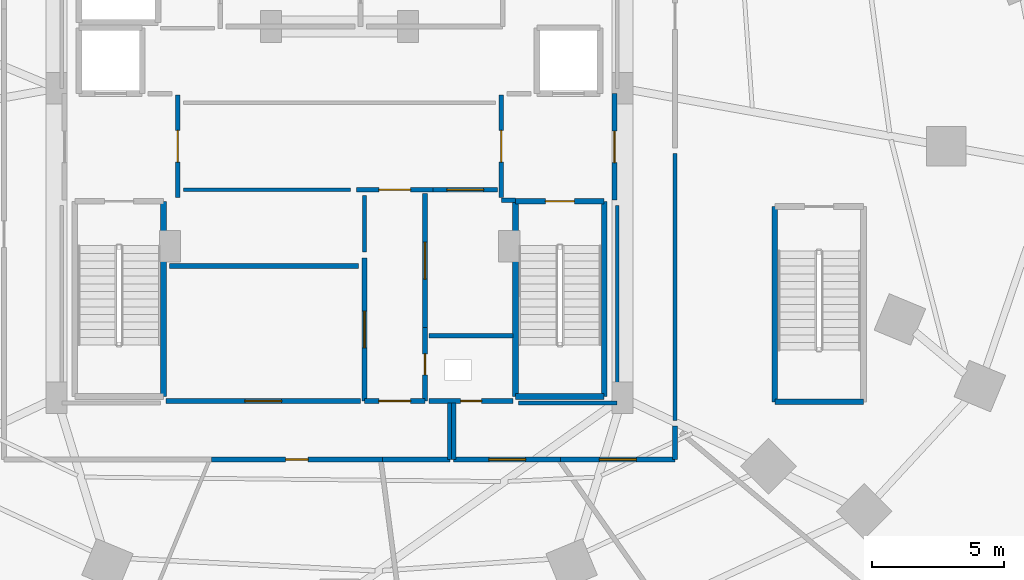
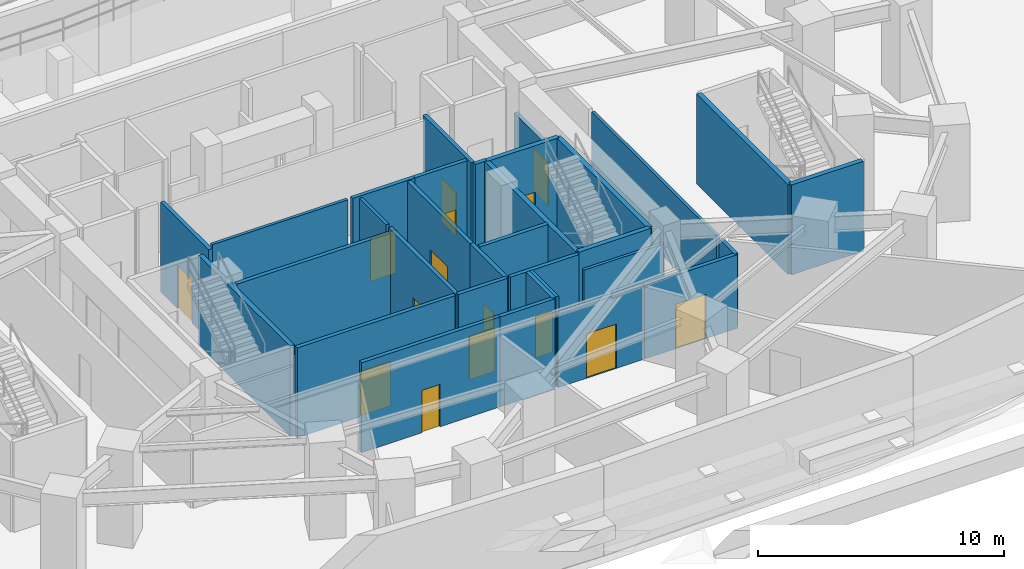
# One storey, part 4 of 8: 33 walls, 15 doors, 15 openings.
"""IFC4 building model written with IfcOpenShell, lengths in metres."""

from ifc_helpers import new_model, si_unit, direction, frame, frame_2d, origin, place, context, subcontext, project, spatial, rectangle, extrude, material, layer, layer_set, type_object, element, fill, save


model = new_model("IFC4")

# Units and contexts
model_context = context("Model", 3, precision=1e-05, world=origin(), true_north=direction((0.0, 1.0)))
body_context = subcontext(model_context, "Body", "Model", "MODEL_VIEW")
ifc_project = project(units=[si_unit("LENGTHUNIT", "METRE"), si_unit("AREAUNIT", "SQUARE_METRE"), si_unit("VOLUMEUNIT", "CUBIC_METRE"), si_unit("PLANEANGLEUNIT", "RADIAN"), si_unit("MASSUNIT", "GRAM", prefix="KILO")], contexts=[model_context])

# Site, building, storey
site_placement = place(None, origin())
site = spatial("IfcSite", under=ifc_project, at=site_placement, CompositionType="ELEMENT")
building_placement = place(site_placement, origin())
building = spatial("IfcBuilding", under=site, at=building_placement, Name="Vorneva Point Tower", CompositionType="ELEMENT")
storey_placement = place(building_placement, frame((0.0, 0.0, -4.800048828125)))
storey = spatial("IfcBuildingStorey", under=building, at=storey_placement, Name="B01", CompositionType="ELEMENT", Elevation=-4.800048828125)

# Walls
ifc_material_1 = material(Name="Fire-rated acoustic gypsum stud partition", Category="gypsum")
ifc_layer_1 = layer(ifc_material_1, 0.139892578125)
ifc_layer_set_1 = layer_set([ifc_layer_1], Name="Fire-rated acoustic gypsum stud partition")
wall_type_1 = type_object("IfcWallType", Name="WL-PART-140", PredefinedType="PARTITIONING", material=ifc_layer_set_1)
wall_1_placement = place(storey_placement, frame((32.070068359375, 24.35009765625, 0.0), z_axis=(0.0, 0.0, 1.0), x_axis=(1.0, 0.0, 0.0)))
element("IfcWall", 1, at=wall_1_placement, inside=storey, type_object=wall_type_1, Name="B01 Interior Closure Partition 043", PredefinedType="PARTITIONING", context=body_context, shape_type="SweptSolid", body=[
    extrude(rectangle(XDim=6.35498046875, YDim=0.139892578125, at=frame_2d((3.177490234375, 0.0))), origin(), (0.0, 0.0, 1.0), 4.4599609375),
])
wall_2_placement = place(storey_placement, frame((38.949951171875, 24.1298828125, 0.0), z_axis=(0.0, 0.0, 1.0), x_axis=(0.0, -1.0, 0.0)))
element("IfcWall", 2, at=wall_2_placement, inside=storey, type_object=wall_type_1, Name="B01 Interior Closure Partition 044", PredefinedType="PARTITIONING", context=body_context, shape_type="SweptSolid", body=[
    extrude(rectangle(XDim=2.15478515625, YDim=0.139892578125, at=frame_2d((1.077392578125, 0.0))), origin(), (0.0, 0.0, 1.0), 4.4599609375),
])
wall_3_placement = place(storey_placement, frame((48.550048828125, 23.75390625, 0.0), z_axis=(0.0, 0.0, 1.0), x_axis=(0.0, -1.0, 0.0)))
element("IfcWall", 3, at=wall_3_placement, inside=storey, type_object=wall_type_1, Name="B01 Interior Closure Partition 051", PredefinedType="PARTITIONING", context=body_context, shape_type="SweptSolid", body=[
    extrude(rectangle(XDim=7.513916015625, YDim=0.139892578125, at=frame_2d((3.7568359375, 0.0))), origin(), (0.0, 0.0, 1.0), 3.0400390625),
])
wall_4_placement = place(storey_placement, frame((48.550048828125, 16.239990234375, 0.0), z_axis=(0.0, 0.0, 1.0), x_axis=(-1.0, 0.0, 0.0)))
element("IfcWall", 4, at=wall_4_placement, inside=storey, type_object=wall_type_1, Name="B01 Interior Closure Partition 052", PredefinedType="PARTITIONING", context=body_context, shape_type="SweptSolid", body=[
    extrude(rectangle(XDim=3.7451171875, YDim=0.139892578125, at=frame_2d((1.87255859375, 0.0))), origin(), (0.0, 0.0, 1.0), 3.652099609375),
])
wall_5_placement = place(storey_placement, frame((50.75, 15.5810546875, 0.0), z_axis=(0.0, 0.0, 1.0), x_axis=(0.0, 1.0, 0.0)))
element("IfcWall", 5, at=wall_5_placement, inside=storey, type_object=wall_type_1, Name="B01 Interior Closure Partition 053", PredefinedType="PARTITIONING", context=body_context, shape_type="SweptSolid", body=[
    extrude(rectangle(XDim=10.138916015625, YDim=0.139892578125, at=frame_2d((5.0693359375, 0.0))), origin(), (0.0, 0.0, 1.0), 3.652099609375),
])

# Wall, opening, door
ifc_material_2 = material(Name="Autoclaved aerated concrete blockwork", Category="masonry")
ifc_layer_2 = layer(ifc_material_2, 0.179931640625)
ifc_layer_set_2 = layer_set([ifc_layer_2], Name="Autoclaved aerated concrete blockwork")
wall_type_2 = type_object("IfcWallType", Name="WL-PART-180", PredefinedType="PARTITIONING", material=ifc_layer_set_2)
wall_6_placement = place(storey_placement, frame((31.85009765625, 24.044921875, 0.0), z_axis=(0.0, 0.0, 1.0), x_axis=(0.0, 1.0, 0.0)))
wall_6 = element("IfcWall", 6, at=wall_6_placement, inside=storey, type_object=wall_type_2, Name="B01 Interior Partition 001", PredefinedType="PARTITIONING", context=body_context, shape_type="SweptSolid", body=[
    extrude(rectangle(XDim=3.91015625, YDim=0.179931640625, at=frame_2d((1.955078125, 0.0))), origin(), (0.0, 0.0, 1.0), 4.4599609375),
])
opening_1_placement = place(wall_6_placement, frame((1.35498046875, 0.0, 0.0)))
opening_1 = element("IfcOpeningElement", 7, at=opening_1_placement, cuts=wall_6, Name="Opening FD-02", PredefinedType="OPENING", context=body_context, shape_type="SweptSolid", body=[
    extrude(rectangle(XDim=1.199951171875, YDim=2.14990234375, at=frame_2d((0.60009765625, 1.074951171875))), frame((0.0, 0.10498046875, 0.0), z_axis=(0.0, -1.0, 0.0), x_axis=(1.0, 0.0, 0.0)), (0.0, 0.0, 1.0), 0.209716796875),
])
ifc_material_3 = material(Name="Fire-rated powder-coated steel", Category="steel")
door_type_1 = type_object("IfcDoorType", Name="DR-FFL-1200", OperationType="NOTDEFINED", PredefinedType="DOOR", material=ifc_material_3)
door_1_placement = place(opening_1_placement, origin())
door_1 = element("IfcDoor", 8, at=door_1_placement, inside=storey, type_object=door_type_1, Name="B01 Door West Firefighting Lobby / Central Lift Lobby", OperationType="SINGLE_SWING_LEFT", OverallHeight=2.14990234375, OverallWidth=1.199951171875, PredefinedType="DOOR", context=body_context, shape_type="SweptSolid", body=[
    extrude(rectangle(XDim=1.199951171875, YDim=2.14990234375, at=frame_2d((0.60009765625, 1.074951171875))), frame((0.0, 0.02490234375, 0.0), z_axis=(0.0, -1.0, 0.0), x_axis=(1.0, 0.0, 0.0)), (0.0, 0.0, 1.0), 0.050048828125),
])
fill(opening_1, door_1)

wall_7_placement = place(storey_placement, frame((44.14990234375, 27.955078125, 0.0), z_axis=(0.0, 0.0, 1.0), x_axis=(0.0, -1.0, 0.0)))
wall_7 = element("IfcWall", 9, at=wall_7_placement, inside=storey, type_object=wall_type_2, Name="B01 Interior Partition 003", PredefinedType="PARTITIONING", context=body_context, shape_type="SweptSolid", body=[
    extrude(rectangle(XDim=3.91015625, YDim=0.179931640625, at=frame_2d((1.955078125, 0.0))), origin(), (0.0, 0.0, 1.0), 4.4599609375),
])
opening_2_placement = place(wall_7_placement, frame((1.35498046875, 0.0, 0.0)))
opening_2 = element("IfcOpeningElement", 10, at=opening_2_placement, cuts=wall_7, Name="Opening FD-02", PredefinedType="OPENING", context=body_context, shape_type="SweptSolid", body=[
    extrude(rectangle(XDim=1.199951171875, YDim=2.14990234375, at=frame_2d((0.60009765625, 1.074951171875))), frame((0.0, 0.10498046875, 0.0), z_axis=(0.0, -1.0, 0.0), x_axis=(1.0, 0.0, 0.0)), (0.0, 0.0, 1.0), 0.209716796875),
])
door_2_placement = place(opening_2_placement, origin())
door_2 = element("IfcDoor", 11, at=door_2_placement, inside=storey, type_object=door_type_1, Name="B01 Door East Firefighting Lobby / Central Lift Lobby", OperationType="SINGLE_SWING_LEFT", OverallHeight=2.14990234375, OverallWidth=1.199951171875, PredefinedType="DOOR", context=body_context, shape_type="SweptSolid", body=[
    extrude(rectangle(XDim=1.199951171875, YDim=2.14990234375, at=frame_2d((0.60009765625, 1.074951171875))), frame((0.0, 0.02490234375, 0.0), z_axis=(0.0, -1.0, 0.0), x_axis=(1.0, 0.0, 0.0)), (0.0, 0.0, 1.0), 0.050048828125),
])
fill(opening_2, door_2)

# Wall
wall_8_placement = place(storey_placement, frame((44.14990234375, 23.949951171875, 0.0), z_axis=(0.0, 0.0, 1.0), x_axis=(1.0, 0.0, 0.0)))
element("IfcWall", 12, at=wall_8_placement, inside=storey, type_object=wall_type_2, Name="B01 Interior Partition 004", PredefinedType="PARTITIONING", context=body_context, shape_type="SweptSolid", body=[
    extrude(rectangle(XDim=0.5400390625, YDim=0.179931640625, at=frame_2d((0.27001953125, 0.0))), origin(), (0.0, 0.0, 1.0), 4.4599609375),
])

# Wall, opening, door
wall_9_placement = place(storey_placement, frame((48.449951171875, 23.949951171875, 0.0), z_axis=(0.0, 0.0, 1.0), x_axis=(0.0, 1.0, 0.0)))
wall_9 = element("IfcWall", 13, at=wall_9_placement, inside=storey, type_object=wall_type_2, Name="B01 Interior Partition 005", PredefinedType="PARTITIONING", context=body_context, shape_type="SweptSolid", body=[
    extrude(rectangle(XDim=4.050048828125, YDim=0.179931640625, at=frame_2d((2.02490234375, 0.0))), origin(), (0.0, 0.0, 1.0), 3.0400390625),
])
opening_3_placement = place(wall_9_placement, frame((1.425048828125, 0.0, 0.0)))
opening_3 = element("IfcOpeningElement", 14, at=opening_3_placement, cuts=wall_9, Name="Opening FD-02", PredefinedType="OPENING", context=body_context, shape_type="SweptSolid", body=[
    extrude(rectangle(XDim=1.199951171875, YDim=2.14990234375, at=frame_2d((0.60009765625, 1.074951171875))), frame((0.0, 0.10498046875, 0.0), z_axis=(0.0, -1.0, 0.0), x_axis=(1.0, 0.0, 0.0)), (0.0, 0.0, 1.0), 0.209716796875),
])
door_3_placement = place(opening_3_placement, origin())
door_3 = element("IfcDoor", 15, at=door_3_placement, inside=storey, type_object=door_type_1, Name="B01 Door East Firefighting Lobby / B01 Circulation Corridor", OperationType="SINGLE_SWING_LEFT", OverallHeight=2.14990234375, OverallWidth=1.199951171875, PredefinedType="DOOR", context=body_context, shape_type="SweptSolid", body=[
    extrude(rectangle(XDim=1.199951171875, YDim=2.14990234375, at=frame_2d((0.60009765625, 1.074951171875))), frame((0.0, 0.02490234375, 0.0), z_axis=(0.0, -1.0, 0.0), x_axis=(1.0, 0.0, 0.0)), (0.0, 0.0, 1.0), 0.050048828125),
])
fill(opening_3, door_3)

wall_10_placement = place(storey_placement, frame((38.64501953125, 24.35009765625, 0.0), z_axis=(0.0, 0.0, 1.0), x_axis=(1.0, 0.0, 0.0)))
wall_10 = element("IfcWall", 16, at=wall_10_placement, inside=storey, type_object=wall_type_2, Name="B01 Interior Partition 009", PredefinedType="PARTITIONING", context=body_context, shape_type="SweptSolid", body=[
    extrude(rectangle(XDim=2.909912109375, YDim=0.179931640625, at=frame_2d((1.455078125, 0.0))), origin(), (0.0, 0.0, 1.0), 4.4599609375),
])
opening_4_placement = place(wall_10_placement, frame((0.85498046875, 0.0, 0.0)))
opening_4 = element("IfcOpeningElement", 17, at=opening_4_placement, cuts=wall_10, Name="Opening FD-02", PredefinedType="OPENING", context=body_context, shape_type="SweptSolid", body=[
    extrude(rectangle(XDim=1.199951171875, YDim=2.14990234375, at=frame_2d((0.60009765625, 1.074951171875))), frame((0.0, 0.10498046875, 0.0), z_axis=(0.0, -1.0, 0.0), x_axis=(1.0, 0.0, 0.0)), (0.0, 0.0, 1.0), 0.209716796875),
])
door_4_placement = place(opening_4_placement, origin())
door_4 = element("IfcDoor", 18, at=door_4_placement, inside=storey, type_object=door_type_1, Name="B01 Door Central Lift Lobby / Core Service Lobby", OperationType="SINGLE_SWING_RIGHT", OverallHeight=2.14990234375, OverallWidth=1.199951171875, PredefinedType="DOOR", context=body_context, shape_type="SweptSolid", body=[
    extrude(rectangle(XDim=1.199951171875, YDim=2.14990234375, at=frame_2d((0.60009765625, 1.074951171875))), frame((0.0, 0.02490234375, 0.0), z_axis=(0.0, -1.0, 0.0), x_axis=(1.0, 0.0, 0.0)), (0.0, 0.0, 1.0), 0.050048828125),
])
fill(opening_4, door_4)

wall_11_placement = place(storey_placement, frame((41.554931640625, 24.35009765625, 0.0), z_axis=(0.0, 0.0, 1.0), x_axis=(1.0, 0.0, 0.0)))
wall_11 = element("IfcWall", 19, at=wall_11_placement, inside=storey, type_object=wall_type_2, Name="B01 Interior Partition 010", PredefinedType="PARTITIONING", context=body_context, shape_type="SweptSolid", body=[
    extrude(rectangle(XDim=2.445068359375, YDim=0.179931640625, at=frame_2d((1.22265625, 0.0))), origin(), (0.0, 0.0, 1.0), 4.4599609375),
])
opening_5_placement = place(wall_11_placement, frame((0.5224609375, 0.0, 0.0)))
opening_5 = element("IfcOpeningElement", 20, at=opening_5_placement, cuts=wall_11, Name="Opening FD-03", PredefinedType="OPENING", context=body_context, shape_type="SweptSolid", body=[
    extrude(rectangle(XDim=1.39990234375, YDim=2.199951171875, at=frame_2d((0.699951171875, 1.10009765625))), frame((0.0, 0.10498046875, 0.0), z_axis=(0.0, -1.0, 0.0), x_axis=(1.0, 0.0, 0.0)), (0.0, 0.0, 1.0), 0.209716796875),
])
door_type_2 = type_object("IfcDoorType", Name="DR-PLT-1400", OperationType="DOUBLE_SWING_LEFT", PredefinedType="DOOR", material=ifc_material_3)
door_5_placement = place(opening_5_placement, origin())
door_5 = element("IfcDoor", 21, at=door_5_placement, inside=storey, type_object=door_type_2, Name="B01 Door Central Lift Lobby / Core BMS Control Plant B01", OperationType="DOUBLE_SWING_LEFT", OverallHeight=2.199951171875, OverallWidth=1.39990234375, PredefinedType="DOOR", context=body_context, shape_type="SweptSolid", body=[
    extrude(rectangle(XDim=1.39990234375, YDim=2.199951171875, at=frame_2d((0.699951171875, 1.10009765625))), frame((0.0, 0.02490234375, 0.0), z_axis=(0.0, -1.0, 0.0), x_axis=(1.0, 0.0, 0.0)), (0.0, 0.0, 1.0), 0.050048828125),
])
fill(opening_5, door_5)

wall_12_placement = place(storey_placement, frame((38.949951171875, 21.7548828125, 0.0), z_axis=(0.0, 0.0, 1.0), x_axis=(0.0, -1.0, 0.0)))
wall_12 = element("IfcWall", 22, at=wall_12_placement, inside=storey, type_object=wall_type_2, Name="B01 Interior Partition 011", PredefinedType="PARTITIONING", context=body_context, shape_type="SweptSolid", body=[
    extrude(rectangle(XDim=5.434814453125, YDim=0.179931640625, at=frame_2d((2.71728515625, 0.0))), origin(), (0.0, 0.0, 1.0), 4.4599609375),
])
opening_6_placement = place(wall_12_placement, frame((2.017578125, 0.0, 0.0)))
opening_6 = element("IfcOpeningElement", 23, at=opening_6_placement, cuts=wall_12, Name="Opening FD-03", PredefinedType="OPENING", context=body_context, shape_type="SweptSolid", body=[
    extrude(rectangle(XDim=1.39990234375, YDim=2.199951171875, at=frame_2d((0.699951171875, 1.10009765625))), frame((0.0, 0.10498046875, 0.0), z_axis=(0.0, -1.0, 0.0), x_axis=(1.0, 0.0, 0.0)), (0.0, 0.0, 1.0), 0.209716796875),
])
door_6_placement = place(opening_6_placement, origin())
door_6 = element("IfcDoor", 24, at=door_6_placement, inside=storey, type_object=door_type_2, Name="B01 Door Core Service Lobby / Core Hydraulic Pump Plant B01", OperationType="DOUBLE_SWING_LEFT", OverallHeight=2.199951171875, OverallWidth=1.39990234375, PredefinedType="DOOR", context=body_context, shape_type="SweptSolid", body=[
    extrude(rectangle(XDim=1.39990234375, YDim=2.199951171875, at=frame_2d((0.699951171875, 1.10009765625))), frame((0.0, 0.02490234375, 0.0), z_axis=(0.0, -1.0, 0.0), x_axis=(1.0, 0.0, 0.0)), (0.0, 0.0, 1.0), 0.050048828125),
])
fill(opening_6, door_6)

wall_13_placement = place(storey_placement, frame((41.25, 16.320068359375, 0.0), z_axis=(0.0, 0.0, 1.0), x_axis=(0.0, 1.0, 0.0)))
wall_13 = element("IfcWall", 25, at=wall_13_placement, inside=storey, type_object=wall_type_2, Name="B01 Interior Partition 012", PredefinedType="PARTITIONING", context=body_context, shape_type="SweptSolid", body=[
    extrude(rectangle(XDim=2.784912109375, YDim=0.179931640625, at=frame_2d((1.392578125, 0.0))), origin(), (0.0, 0.0, 1.0), 4.4599609375),
])
opening_7_placement = place(wall_13_placement, frame((0.992431640625, 0.0, 0.0)))
opening_7 = element("IfcOpeningElement", 26, at=opening_7_placement, cuts=wall_13, Name="Opening RD-01", PredefinedType="OPENING", context=body_context, shape_type="SweptSolid", body=[
    extrude(rectangle(XDim=0.800048828125, YDim=2.050048828125, at=frame_2d((0.39990234375, 1.02490234375))), frame((0.0, 0.10498046875, 0.0), z_axis=(0.0, -1.0, 0.0), x_axis=(1.0, 0.0, 0.0)), (0.0, 0.0, 1.0), 0.209716796875),
])
door_type_3 = type_object("IfcDoorType", Name="DR-RSR-800", OperationType="SINGLE_SWING_LEFT", PredefinedType="DOOR", material=ifc_material_3)
door_7_placement = place(opening_7_placement, origin())
door_7 = element("IfcDoor", 27, at=door_7_placement, inside=storey, type_object=door_type_3, Name="B01 Door Core Service Lobby / Electrical Riser", OperationType="SINGLE_SWING_LEFT", OverallHeight=2.050048828125, OverallWidth=0.800048828125, PredefinedType="DOOR", context=body_context, shape_type="SweptSolid", body=[
    extrude(rectangle(XDim=0.800048828125, YDim=2.050048828125, at=frame_2d((0.39990234375, 1.02490234375))), frame((0.0, 0.02490234375, 0.0), z_axis=(0.0, -1.0, 0.0), x_axis=(1.0, 0.0, 0.0)), (0.0, 0.0, 1.0), 0.050048828125),
])
fill(opening_7, door_7)

wall_14_placement = place(storey_placement, frame((41.25, 19.10498046875, 0.0), z_axis=(0.0, 0.0, 1.0), x_axis=(0.0, 1.0, 0.0)))
wall_14 = element("IfcWall", 28, at=wall_14_placement, inside=storey, type_object=wall_type_2, Name="B01 Interior Partition 013", PredefinedType="PARTITIONING", context=body_context, shape_type="SweptSolid", body=[
    extrude(rectangle(XDim=5.094970703125, YDim=0.179931640625, at=frame_2d((2.54736328125, 0.0))), origin(), (0.0, 0.0, 1.0), 4.4599609375),
])
opening_8_placement = place(wall_14_placement, frame((1.847412109375, 0.0, 0.0)))
opening_8 = element("IfcOpeningElement", 29, at=opening_8_placement, cuts=wall_14, Name="Opening FD-03", PredefinedType="OPENING", context=body_context, shape_type="SweptSolid", body=[
    extrude(rectangle(XDim=1.39990234375, YDim=2.199951171875, at=frame_2d((0.699951171875, 1.10009765625))), frame((0.0, 0.10498046875, 0.0), z_axis=(0.0, -1.0, 0.0), x_axis=(1.0, 0.0, 0.0)), (0.0, 0.0, 1.0), 0.209716796875),
])
door_8_placement = place(opening_8_placement, origin())
door_8 = element("IfcDoor", 30, at=door_8_placement, inside=storey, type_object=door_type_2, Name="B01 Door Core Service Lobby / Core BMS Control Plant B01", OperationType="DOUBLE_SWING_LEFT", OverallHeight=2.199951171875, OverallWidth=1.39990234375, PredefinedType="DOOR", context=body_context, shape_type="SweptSolid", body=[
    extrude(rectangle(XDim=1.39990234375, YDim=2.199951171875, at=frame_2d((0.699951171875, 1.10009765625))), frame((0.0, 0.02490234375, 0.0), z_axis=(0.0, -1.0, 0.0), x_axis=(1.0, 0.0, 0.0)), (0.0, 0.0, 1.0), 0.050048828125),
])
fill(opening_8, door_8)

wall_15_placement = place(storey_placement, frame((38.949951171875, 16.320068359375, 0.0), z_axis=(0.0, 0.0, 1.0), x_axis=(1.0, 0.0, 0.0)))
wall_15 = element("IfcWall", 31, at=wall_15_placement, inside=storey, type_object=wall_type_2, Name="B01 Interior Partition 014", PredefinedType="PARTITIONING", context=body_context, shape_type="SweptSolid", body=[
    extrude(rectangle(XDim=2.300048828125, YDim=0.179931640625, at=frame_2d((1.14990234375, 0.0))), origin(), (0.0, 0.0, 1.0), 4.4599609375),
])
opening_9_placement = place(wall_15_placement, frame((0.550048828125, 0.0, 0.0)))
opening_9 = element("IfcOpeningElement", 32, at=opening_9_placement, cuts=wall_15, Name="Opening FD-02", PredefinedType="OPENING", context=body_context, shape_type="SweptSolid", body=[
    extrude(rectangle(XDim=1.199951171875, YDim=2.14990234375, at=frame_2d((0.60009765625, 1.074951171875))), frame((0.0, 0.10498046875, 0.0), z_axis=(0.0, -1.0, 0.0), x_axis=(1.0, 0.0, 0.0)), (0.0, 0.0, 1.0), 0.209716796875),
])
door_9_placement = place(opening_9_placement, origin())
door_9 = element("IfcDoor", 33, at=door_9_placement, inside=storey, type_object=door_type_1, Name="B01 Door Core Service Lobby / B01 Circulation Corridor", OperationType="SINGLE_SWING_LEFT", OverallHeight=2.14990234375, OverallWidth=1.199951171875, PredefinedType="DOOR", context=body_context, shape_type="SweptSolid", body=[
    extrude(rectangle(XDim=1.199951171875, YDim=2.14990234375, at=frame_2d((0.60009765625, 1.074951171875))), frame((0.0, 0.02490234375, 0.0), z_axis=(0.0, -1.0, 0.0), x_axis=(1.0, 0.0, 0.0)), (0.0, 0.0, 1.0), 0.050048828125),
])
fill(opening_9, door_9)

wall_16_placement = place(storey_placement, frame((31.39990234375, 16.320068359375, 0.0), z_axis=(0.0, 0.0, 1.0), x_axis=(1.0, 0.0, 0.0)))
wall_16 = element("IfcWall", 34, at=wall_16_placement, inside=storey, type_object=wall_type_2, Name="B01 Interior Partition 020", PredefinedType="PARTITIONING", context=body_context, shape_type="SweptSolid", body=[
    extrude(rectangle(XDim=7.400146484375, YDim=0.179931640625, at=frame_2d((3.7001953125, 0.0))), origin(), (0.0, 0.0, 1.0), 4.4599609375),
])
opening_10_placement = place(wall_16_placement, frame((3.0, 0.0, 0.0)))
opening_10 = element("IfcOpeningElement", 35, at=opening_10_placement, cuts=wall_16, Name="Opening FD-03", PredefinedType="OPENING", context=body_context, shape_type="SweptSolid", body=[
    extrude(rectangle(XDim=1.39990234375, YDim=2.199951171875, at=frame_2d((0.699951171875, 1.10009765625))), frame((0.0, 0.10498046875, 0.0), z_axis=(0.0, -1.0, 0.0), x_axis=(1.0, 0.0, 0.0)), (0.0, 0.0, 1.0), 0.209716796875),
])
door_10_placement = place(opening_10_placement, origin())
door_10 = element("IfcDoor", 36, at=door_10_placement, inside=storey, type_object=door_type_2, Name="B01 Door Core Hydraulic Pump Plant B01 / B01 Circulation Corridor", OperationType="DOUBLE_SWING_LEFT", OverallHeight=2.199951171875, OverallWidth=1.39990234375, PredefinedType="DOOR", context=body_context, shape_type="SweptSolid", body=[
    extrude(rectangle(XDim=1.39990234375, YDim=2.199951171875, at=frame_2d((0.699951171875, 1.10009765625))), frame((0.0, 0.02490234375, 0.0), z_axis=(0.0, -1.0, 0.0), x_axis=(1.0, 0.0, 0.0)), (0.0, 0.0, 1.0), 0.050048828125),
])
fill(opening_10, door_10)

# Wall
wall_17_placement = place(storey_placement, frame((44.60009765625, 18.800048828125, 0.0), z_axis=(0.0, 0.0, 1.0), x_axis=(-1.0, 0.0, 0.0)))
element("IfcWall", 37, at=wall_17_placement, inside=storey, type_object=wall_type_2, Name="B01 Interior Partition 021", PredefinedType="PARTITIONING", context=body_context, shape_type="SweptSolid", body=[
    extrude(rectangle(XDim=3.2001953125, YDim=0.179931640625, at=frame_2d((1.60009765625, 0.0))), origin(), (0.0, 0.0, 1.0), 4.4599609375),
])

# Wall, opening, door
wall_18_placement = place(storey_placement, frame((41.39990234375, 16.320068359375, 0.0), z_axis=(0.0, 0.0, 1.0), x_axis=(1.0, 0.0, 0.0)))
wall_18 = element("IfcWall", 38, at=wall_18_placement, inside=storey, type_object=wall_type_2, Name="B01 Interior Partition 022", PredefinedType="PARTITIONING", context=body_context, shape_type="SweptSolid", body=[
    extrude(rectangle(XDim=3.2001953125, YDim=0.179931640625, at=frame_2d((1.60009765625, 0.0))), origin(), (0.0, 0.0, 1.0), 4.4599609375),
])
opening_11_placement = place(wall_18_placement, frame((1.199951171875, 0.0, 0.0)))
opening_11 = element("IfcOpeningElement", 39, at=opening_11_placement, cuts=wall_18, Name="Opening RD-01", PredefinedType="OPENING", context=body_context, shape_type="SweptSolid", body=[
    extrude(rectangle(XDim=0.800048828125, YDim=2.050048828125, at=frame_2d((0.39990234375, 1.02490234375))), frame((0.0, 0.10498046875, 0.0), z_axis=(0.0, -1.0, 0.0), x_axis=(1.0, 0.0, 0.0)), (0.0, 0.0, 1.0), 0.209716796875),
])
door_11_placement = place(opening_11_placement, origin())
door_11 = element("IfcDoor", 40, at=door_11_placement, inside=storey, type_object=door_type_3, Name="B01 Door Electrical Riser / B01 Circulation Corridor", OperationType="SINGLE_SWING_RIGHT", OverallHeight=2.050048828125, OverallWidth=0.800048828125, PredefinedType="DOOR", context=body_context, shape_type="SweptSolid", body=[
    extrude(rectangle(XDim=0.800048828125, YDim=2.050048828125, at=frame_2d((0.39990234375, 1.02490234375))), frame((0.0, 0.02490234375, 0.0), z_axis=(0.0, -1.0, 0.0), x_axis=(1.0, 0.0, 0.0)), (0.0, 0.0, 1.0), 0.050048828125),
])
fill(opening_11, door_11)

wall_19_placement = place(storey_placement, frame((33.131103515625, 14.10009765625, 0.0), z_axis=(0.0, 0.0, 1.0), x_axis=(1.0, 0.0, 0.0)))
wall_19 = element("IfcWall", 41, at=wall_19_placement, inside=storey, type_object=wall_type_2, Name="B01 Interior Partition 029", PredefinedType="PARTITIONING", context=body_context, shape_type="SweptSolid", body=[
    extrude(rectangle(XDim=6.496826171875, YDim=0.179931640625, at=frame_2d((3.24853515625, 0.0))), origin(), (0.0, 0.0, 1.0), 4.4599609375),
])
opening_12_placement = place(wall_19_placement, frame((2.823486328125, 0.0, 0.0)))
opening_12 = element("IfcOpeningElement", 42, at=opening_12_placement, cuts=wall_19, Name="Opening ID-02", PredefinedType="OPENING", context=body_context, shape_type="SweptSolid", body=[
    extrude(rectangle(XDim=0.85009765625, YDim=2.10009765625, at=frame_2d((0.425048828125, 1.050048828125))), frame((0.0, 0.10498046875, 0.0), z_axis=(0.0, -1.0, 0.0), x_axis=(1.0, 0.0, 0.0)), (0.0, 0.0, 1.0), 0.209716796875),
])
ifc_material_4 = material(Name="Engineered oak fire-rated door leaf", Category="wood")
door_type_4 = type_object("IfcDoorType", Name="DR-BATH-850", OperationType="NOTDEFINED", PredefinedType="DOOR", material=ifc_material_4)
door_12_placement = place(opening_12_placement, origin())
door_12 = element("IfcDoor", 43, at=door_12_placement, inside=storey, type_object=door_type_4, Name="B01 Door B01 Circulation Corridor / Bicycle and Tenant Storage Room", OperationType="SINGLE_SWING_LEFT", OverallHeight=2.10009765625, OverallWidth=0.85009765625, PredefinedType="DOOR", context=body_context, shape_type="SweptSolid", body=[
    extrude(rectangle(XDim=0.85009765625, YDim=2.10009765625, at=frame_2d((0.425048828125, 1.050048828125))), frame((0.0, 0.02490234375, 0.0), z_axis=(0.0, -1.0, 0.0), x_axis=(1.0, 0.0, 0.0)), (0.0, 0.0, 1.0), 0.050048828125),
])
fill(opening_12, door_12)

# Wall
wall_20_placement = place(storey_placement, frame((42.340087890625, 16.239990234375, 0.0), z_axis=(0.0, 0.0, 1.0), x_axis=(0.0, -1.0, 0.0)))
element("IfcWall", 44, at=wall_20_placement, inside=storey, type_object=wall_type_2, Name="B01 Interior Partition 030", PredefinedType="PARTITIONING", context=body_context, shape_type="SweptSolid", body=[
    extrude(rectangle(XDim=2.139892578125, YDim=0.179931640625, at=frame_2d((1.06982421875, 0.0))), origin(), (0.0, 0.0, 1.0), 4.4599609375),
])

# Wall, opening, door
wall_21_placement = place(storey_placement, frame((42.340087890625, 14.10009765625, 0.0), z_axis=(0.0, 0.0, 1.0), x_axis=(1.0, 0.0, 0.0)))
wall_21 = element("IfcWall", 45, at=wall_21_placement, inside=storey, type_object=wall_type_2, Name="B01 Interior Partition 031", PredefinedType="PARTITIONING", context=body_context, shape_type="SweptSolid", body=[
    extrude(rectangle(XDim=4.06494140625, YDim=0.179931640625, at=frame_2d((2.032470703125, 0.0))), origin(), (0.0, 0.0, 1.0), 3.652099609375),
])
opening_13_placement = place(wall_21_placement, frame((1.33251953125, 0.0, 0.0)))
opening_13 = element("IfcOpeningElement", 46, at=opening_13_placement, cuts=wall_21, Name="Opening FD-03", PredefinedType="OPENING", context=body_context, shape_type="SweptSolid", body=[
    extrude(rectangle(XDim=1.39990234375, YDim=2.199951171875, at=frame_2d((0.699951171875, 1.10009765625))), frame((0.0, 0.10498046875, 0.0), z_axis=(0.0, -1.0, 0.0), x_axis=(1.0, 0.0, 0.0)), (0.0, 0.0, 1.0), 0.209716796875),
])
door_13_placement = place(opening_13_placement, origin())
door_13 = element("IfcDoor", 47, at=door_13_placement, inside=storey, type_object=door_type_2, Name="B01 Door B01 Circulation Corridor / Sprinkler Pump and Water Tank Room", OperationType="DOUBLE_SWING_LEFT", OverallHeight=2.199951171875, OverallWidth=1.39990234375, PredefinedType="DOOR", context=body_context, shape_type="SweptSolid", body=[
    extrude(rectangle(XDim=1.39990234375, YDim=2.199951171875, at=frame_2d((0.699951171875, 1.10009765625))), frame((0.0, 0.02490234375, 0.0), z_axis=(0.0, -1.0, 0.0), x_axis=(1.0, 0.0, 0.0)), (0.0, 0.0, 1.0), 0.050048828125),
])
fill(opening_13, door_13)

# Walls
wall_22_placement = place(storey_placement, frame((39.6279296875, 14.10009765625, 0.0), z_axis=(0.0, 0.0, 1.0), x_axis=(1.0, 0.0, 0.0)))
element("IfcWall", 48, at=wall_22_placement, inside=storey, type_object=wall_type_2, Name="B01 Interior Partition 032", PredefinedType="PARTITIONING", context=body_context, shape_type="SweptSolid", body=[
    extrude(rectangle(XDim=2.572021484375, YDim=0.179931640625, at=frame_2d((1.2861328125, 0.0))), origin(), (0.0, 0.0, 1.0), 4.4599609375),
])
wall_23_placement = place(storey_placement, frame((42.199951171875, 14.10009765625, 0.0), z_axis=(0.0, 0.0, 1.0), x_axis=(0.0, 1.0, 0.0)))
element("IfcWall", 49, at=wall_23_placement, inside=storey, type_object=wall_type_2, Name="B01 Interior Partition 033", PredefinedType="PARTITIONING", context=body_context, shape_type="SweptSolid", body=[
    extrude(rectangle(XDim=2.139892578125, YDim=0.179931640625, at=frame_2d((1.06982421875, 0.0))), origin(), (0.0, 0.0, 1.0), 4.4599609375),
])

# Wall, opening, door
wall_24_placement = place(storey_placement, frame((46.405029296875, 14.10009765625, 0.0), z_axis=(0.0, 0.0, 1.0), x_axis=(1.0, 0.0, 0.0)))
wall_24 = element("IfcWall", 50, at=wall_24_placement, inside=storey, type_object=wall_type_2, Name="B01 Interior Partition 034", PredefinedType="PARTITIONING", context=body_context, shape_type="SweptSolid", body=[
    extrude(rectangle(XDim=4.344970703125, YDim=0.179931640625, at=frame_2d((2.17236328125, 0.0))), origin(), (0.0, 0.0, 1.0), 3.652099609375),
])
opening_14_placement = place(wall_24_placement, frame((1.472412109375, 0.0, 0.0)))
opening_14 = element("IfcOpeningElement", 51, at=opening_14_placement, cuts=wall_24, Name="Opening FD-03", PredefinedType="OPENING", context=body_context, shape_type="SweptSolid", body=[
    extrude(rectangle(XDim=1.39990234375, YDim=2.199951171875, at=frame_2d((0.699951171875, 1.10009765625))), frame((0.0, 0.10498046875, 0.0), z_axis=(0.0, -1.0, 0.0), x_axis=(1.0, 0.0, 0.0)), (0.0, 0.0, 1.0), 0.209716796875),
])
door_14_placement = place(opening_14_placement, origin())
door_14 = element("IfcDoor", 52, at=door_14_placement, inside=storey, type_object=door_type_2, Name="B01 Door B01 Circulation Corridor / Substation and Switchgear Plant Room", OperationType="DOUBLE_SWING_LEFT", OverallHeight=2.199951171875, OverallWidth=1.39990234375, PredefinedType="DOOR", context=body_context, shape_type="SweptSolid", body=[
    extrude(rectangle(XDim=1.39990234375, YDim=2.199951171875, at=frame_2d((0.699951171875, 1.10009765625))), frame((0.0, 0.02490234375, 0.0), z_axis=(0.0, -1.0, 0.0), x_axis=(1.0, 0.0, 0.0)), (0.0, 0.0, 1.0), 0.050048828125),
])
fill(opening_14, door_14)

# Walls
wall_25_placement = place(storey_placement, frame((50.75, 14.10009765625, 0.0), z_axis=(0.0, 0.0, 1.0), x_axis=(0.0, 1.0, 0.0)))
element("IfcWall", 53, at=wall_25_placement, inside=storey, type_object=wall_type_2, Name="B01 Interior Partition 035", PredefinedType="PARTITIONING", context=body_context, shape_type="SweptSolid", body=[
    extrude(rectangle(XDim=1.260986328125, YDim=0.179931640625, at=frame_2d((0.63037109375, 0.0))), origin(), (0.0, 0.0, 1.0), 3.652099609375),
])
wall_26_placement = place(storey_placement, frame((38.72998046875, 21.449951171875, 0.0), z_axis=(0.0, 0.0, 1.0), x_axis=(-1.0, 0.0, 0.0)))
element("IfcWall", 54, at=wall_26_placement, inside=storey, type_object=wall_type_2, Name="B01 Interior Closure Partition 048", PredefinedType="PARTITIONING", context=body_context, shape_type="SweptSolid", body=[
    extrude(rectangle(XDim=7.199951171875, YDim=0.179931640625, at=frame_2d((3.60009765625, 0.0))), origin(), (0.0, 0.0, 1.0), 4.4599609375),
])
ifc_material_5 = material(Name="Concrete B50 (C40/50)", Category="concrete")
ifc_layer_3 = layer(ifc_material_5, 0.219970703125)
ifc_layer_set_3 = layer_set([ifc_layer_3], Name="Concrete B50 (C40/50)")
wall_type_3 = type_object("IfcWallType", Name="WL-SHFT-220", PredefinedType="SOLIDWALL", material=ifc_layer_set_3)
wall_27_placement = place(storey_placement, frame((31.31005859375, 23.909912109375, 0.0), z_axis=(0.0, 0.0, 1.0), x_axis=(0.0, -1.0, 0.0)))
element("IfcWall", 55, at=wall_27_placement, inside=storey, type_object=wall_type_3, Name="B01 Exit Stair ST1 Shaft Wall right", PredefinedType="SOLIDWALL", context=body_context, shape_type="SweptSolid", body=[
    extrude(rectangle(XDim=7.419921875, YDim=0.219970703125, at=frame_2d((3.7099609375, 0.0))), origin(), (0.0, 0.0, 1.0), 4.4599609375),
])

# Wall, opening, door
wall_28_placement = place(storey_placement, frame((44.68994140625, 23.909912109375, 0.0), z_axis=(0.0, 0.0, 1.0), x_axis=(1.0, 0.0, 0.0)))
wall_28 = element("IfcWall", 56, at=wall_28_placement, inside=storey, type_object=wall_type_3, Name="B01 Exit Stair ST2 Shaft Wall near", PredefinedType="SOLIDWALL", context=body_context, shape_type="SweptSolid", body=[
    extrude(rectangle(XDim=3.3701171875, YDim=0.219970703125, at=frame_2d((1.68505859375, 0.0))), origin(), (0.0, 0.0, 1.0), 4.4599609375),
])
opening_15_placement = place(wall_28_placement, frame((1.135009765625, 0.0, 0.0)))
opening_15 = element("IfcOpeningElement", 57, at=opening_15_placement, cuts=wall_28, Name="Opening FD-01", PredefinedType="OPENING", context=body_context, shape_type="SweptSolid", body=[
    extrude(rectangle(XDim=1.10009765625, YDim=2.14990234375, at=frame_2d((0.550048828125, 1.074951171875))), frame((0.0, 0.125, 0.0), z_axis=(0.0, -1.0, 0.0), x_axis=(1.0, 0.0, 0.0)), (0.0, 0.0, 1.0), 0.249755859375),
])
door_type_5 = type_object("IfcDoorType", Name="DR-STAIR-1100", OperationType="NOTDEFINED", PredefinedType="DOOR", material=ifc_material_3)
door_15_placement = place(opening_15_placement, origin())
door_15 = element("IfcDoor", 58, at=door_15_placement, inside=storey, type_object=door_type_5, Name="B01 Exit Stair ST2 Fire Door", OperationType="SINGLE_SWING_RIGHT", OverallHeight=2.14990234375, OverallWidth=1.10009765625, PredefinedType="DOOR", context=body_context, shape_type="SweptSolid", body=[
    extrude(rectangle(XDim=1.10009765625, YDim=2.14990234375, at=frame_2d((0.550048828125, 1.074951171875))), frame((0.0, 0.02490234375, 0.0), z_axis=(0.0, -1.0, 0.0), x_axis=(1.0, 0.0, 0.0)), (0.0, 0.0, 1.0), 0.050048828125),
])
fill(opening_15, door_15)

# Walls
wall_29_placement = place(storey_placement, frame((48.06005859375, 23.909912109375, 0.0), z_axis=(0.0, 0.0, 1.0), x_axis=(0.0, -1.0, 0.0)))
element("IfcWall", 59, at=wall_29_placement, inside=storey, type_object=wall_type_3, Name="B01 Exit Stair ST2 Shaft Wall right", PredefinedType="SOLIDWALL", context=body_context, shape_type="SweptSolid", body=[
    extrude(rectangle(XDim=7.419921875, YDim=0.219970703125, at=frame_2d((3.7099609375, 0.0))), origin(), (0.0, 0.0, 1.0), 4.4599609375),
])
wall_30_placement = place(storey_placement, frame((48.06005859375, 16.489990234375, 0.0), z_axis=(0.0, 0.0, 1.0), x_axis=(-1.0, 0.0, 0.0)))
element("IfcWall", 60, at=wall_30_placement, inside=storey, type_object=wall_type_3, Name="B01 Exit Stair ST2 Shaft Wall far", PredefinedType="SOLIDWALL", context=body_context, shape_type="SweptSolid", body=[
    extrude(rectangle(XDim=3.3701171875, YDim=0.219970703125, at=frame_2d((1.68505859375, 0.0))), origin(), (0.0, 0.0, 1.0), 4.4599609375),
])
wall_31_placement = place(storey_placement, frame((44.68994140625, 16.489990234375, 0.0), z_axis=(0.0, 0.0, 1.0), x_axis=(0.0, 1.0, 0.0)))
element("IfcWall", 61, at=wall_31_placement, inside=storey, type_object=wall_type_3, Name="B01 Exit Stair ST2 Shaft Wall left", PredefinedType="SOLIDWALL", context=body_context, shape_type="SweptSolid", body=[
    extrude(rectangle(XDim=7.419921875, YDim=0.219970703125, at=frame_2d((3.7099609375, 0.0))), origin(), (0.0, 0.0, 1.0), 4.4599609375),
])
wall_32_placement = place(storey_placement, frame((57.909912109375, 16.2900390625, 0.0), z_axis=(0.0, 0.0, 1.0), x_axis=(-1.0, 0.0, 0.0)))
element("IfcWall", 62, at=wall_32_placement, inside=storey, type_object=wall_type_3, Name="B01 Exit Stair ST4 Shaft Wall far", PredefinedType="SOLIDWALL", context=body_context, shape_type="SweptSolid", body=[
    extrude(rectangle(XDim=3.369873046875, YDim=0.219970703125, at=frame_2d((1.68505859375, 0.0))), origin(), (0.0, 0.0, 1.0), 4.4599609375),
])
wall_33_placement = place(storey_placement, frame((54.5400390625, 16.2900390625, 0.0), z_axis=(0.0, 0.0, 1.0), x_axis=(0.0, 1.0, 0.0)))
element("IfcWall", 63, at=wall_33_placement, inside=storey, type_object=wall_type_3, Name="B01 Exit Stair ST4 Shaft Wall left", PredefinedType="SOLIDWALL", context=body_context, shape_type="SweptSolid", body=[
    extrude(rectangle(XDim=7.419921875, YDim=0.219970703125, at=frame_2d((3.7099609375, 0.0))), origin(), (0.0, 0.0, 1.0), 4.4599609375),
])

save(model, "model.ifc")
